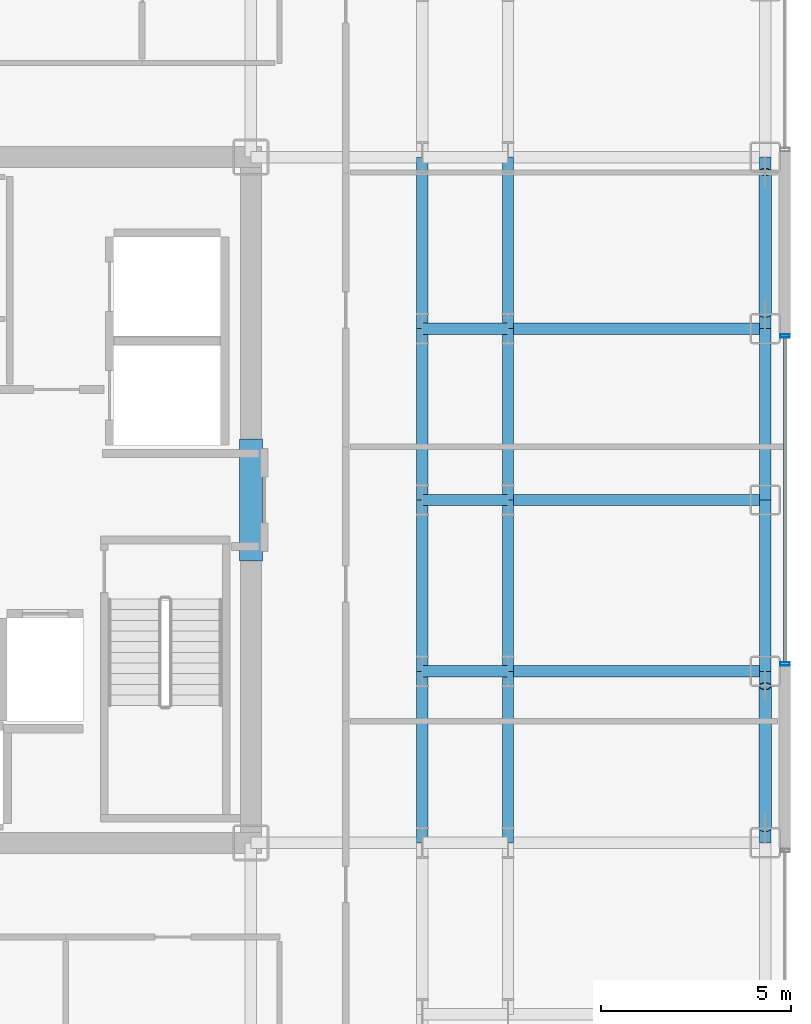
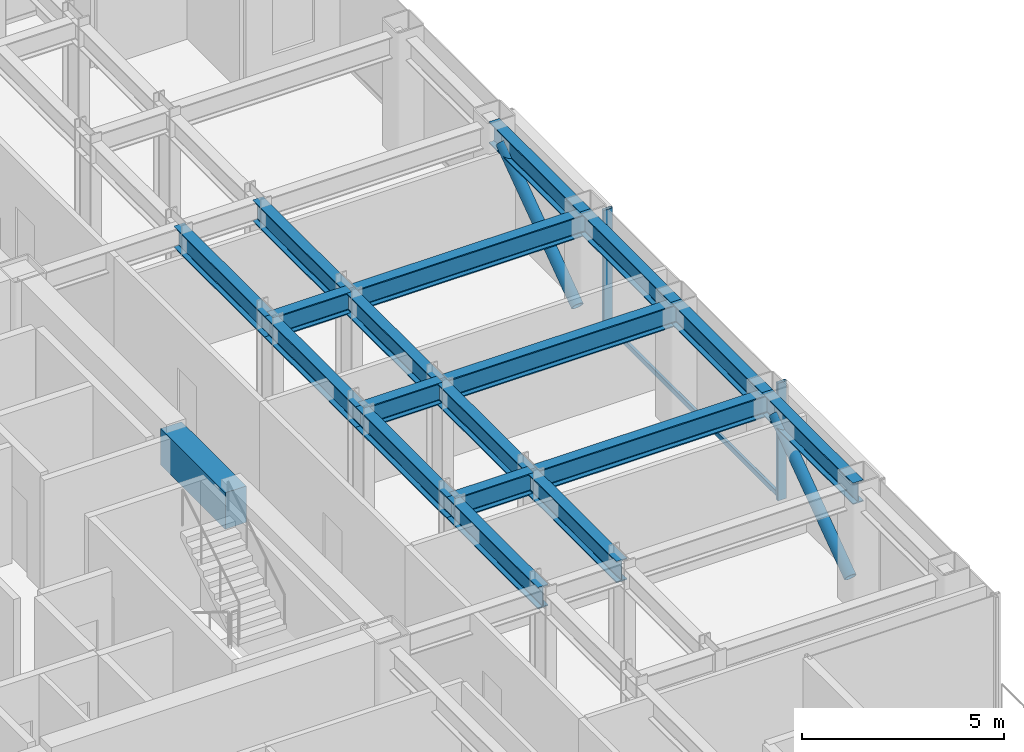
# One storey, part 11 of 27: 19 beams, 5 members, 1 element without a shape of its own.
"""IFC4 building model written with IfcOpenShell, lengths in metres."""

from ifc_helpers import new_model, si_unit, direction, frame, origin, origin_2d, place, context, subcontext, project, spatial, rectangle, hollow_rectangle, hollow_circle, i_section, extrude, source, transform, mapped, material, layer, layer_set, material_profile, profile_set, type_object, element, aggregate, save


model = new_model("IFC4")

# Units and contexts
model_context = context("Model", 3, precision=1e-05, world=origin(), true_north=direction((0.0, 1.0)))
body_context = subcontext(model_context, "Body", "Model", "MODEL_VIEW")
ifc_project = project(units=[si_unit("LENGTHUNIT", "METRE"), si_unit("AREAUNIT", "SQUARE_METRE"), si_unit("VOLUMEUNIT", "CUBIC_METRE"), si_unit("PLANEANGLEUNIT", "RADIAN"), si_unit("MASSUNIT", "GRAM", prefix="KILO")], contexts=[model_context])

# Site, building, storey
site_placement = place(None, origin())
site = spatial("IfcSite", under=ifc_project, at=site_placement, CompositionType="ELEMENT")
building_placement = place(site_placement, origin())
building = spatial("IfcBuilding", under=site, at=building_placement, Name="Nefas-Gora Pilgrimage Tower", CompositionType="ELEMENT")
storey_placement = place(building_placement, frame((0.0, 0.0, 183.0)))
storey = spatial("IfcBuildingStorey", under=building, at=storey_placement, Name="L45", CompositionType="ELEMENT", Elevation=183.0)

# Beams
ifc_material_1 = material(Name="Concrete C60/75", Category="concrete")
ifc_material_profile_1 = material_profile(ifc_material_1, rectangle(XDim=0.60009765625, YDim=1.10009765625, at=origin_2d()), Name="RC 600x1100")
ifc_profile_set_1 = profile_set([ifc_material_profile_1], Name="Concrete C60/75")
beam_type_1 = type_object("IfcBeamType", Name="BM-LIN-RC1100", PredefinedType="LINTEL", material=ifc_profile_set_1)
shared_shape_1 = source(origin(), body_context, "Body", "SweptSolid", [
    extrude(rectangle(XDim=0.60009765625, YDim=1.10009765625, at=origin_2d()), origin(), (0.0, 0.0, 1.0), 3.2001953125),
])
beam_placement = place(storey_placement, frame((11.25, -1.60009765625, 3.0), z_axis=(0.0, 1.0, 0.0), x_axis=(-1.0, 0.0, 0.0)))
element("IfcBeam", 1, at=beam_placement, inside=storey, type_object=beam_type_1, Name="L45 Core Coupling Lintel Beam E", PredefinedType="LINTEL", context=body_context, shape_type="MappedRepresentation", body=[
    mapped(shared_shape_1, transform((0.0, 0.0, 0.0), x_axis=(1.0, 0.0, 0.0), y_axis=(0.0, 1.0, 0.0), z_axis=(0.0, 0.0, 1.0), scale=1.0)),
])
ifc_material_2 = material(Name="Steel S355", Category="steel")
ifc_material_profile_2 = material_profile(ifc_material_2, i_section(OverallWidth=0.300048828125, OverallDepth=0.64990234375, WebThickness=0.01611328125, FlangeThickness=0.031005859375, FilletRadius=0.027099609375, at=origin_2d()), Name="HEB 650")
ifc_profile_set_2 = profile_set([ifc_material_profile_2], Name="Steel S355")
beam_type_2 = type_object("IfcBeamType", Name="BM-SPN-HEB500", PredefinedType="SPANDREL", material=ifc_profile_set_2)
shared_shape_2 = source(origin(), body_context, "Body", "SweptSolid", [
    extrude(i_section(OverallWidth=0.300048828125, OverallDepth=0.64990234375, WebThickness=0.01611328125, FlangeThickness=0.031005859375, FilletRadius=0.027099609375, at=origin_2d()), origin(), (0.0, 0.0, 1.0), 4.5),
])
for number, where, z_axis, x_axis, name in (
    (2, (24.75, -9.0, 3.22509765625), (0.0, 1.0, 0.0), (-1.0, 0.0, 0.0), "L45 SP-02 beam"),
    (3, (24.75, -4.5, 3.22509765625), (0.0, 1.0, 0.0), (-1.0, 0.0, 0.0), "L45 SP-02 beam"),
    (4, (24.75, 0.0, 3.22509765625), (0.0, 1.0, 0.0), (-1.0, 0.0, 0.0), "L45 SP-02 beam"),
    (5, (24.75, 4.5, 3.22509765625), (0.0, 1.0, 0.0), (-1.0, 0.0, 0.0), "L45 SP-02 beam"),
):
    element("IfcBeam", number, at=place(storey_placement, frame(where, z_axis=z_axis, x_axis=x_axis)), inside=storey, type_object=beam_type_2, Name=name, PredefinedType="SPANDREL", context=body_context, shape_type="MappedRepresentation", body=[
        mapped(shared_shape_2, transform((0.0, 0.0, 0.0), x_axis=(1.0, 0.0, 0.0), y_axis=(0.0, 1.0, 0.0), z_axis=(0.0, 0.0, 1.0), scale=1.0)),
    ])
ifc_material_profile_3 = material_profile(ifc_material_2, i_section(OverallWidth=0.300048828125, OverallDepth=0.64990234375, WebThickness=0.01611328125, FlangeThickness=0.031005859375, FilletRadius=0.027099609375, at=origin_2d()), Name="HEB 650")
ifc_profile_set_3 = profile_set([ifc_material_profile_3], Name="Steel S355")
beam_type_3 = type_object("IfcBeamType", Name="BM-GIR-HEB650", PredefinedType="BEAM", material=ifc_profile_set_3)
shared_shape_3 = source(origin(), body_context, "Body", "SweptSolid", [
    extrude(i_section(OverallWidth=0.300048828125, OverallDepth=0.64990234375, WebThickness=0.01611328125, FlangeThickness=0.031005859375, FilletRadius=0.027099609375, at=origin_2d()), origin(), (0.0, 0.0, 1.0), 4.5),
])
for number, where, z_axis, x_axis, name in (
    (6, (15.75, -9.0, 3.22509765625), (0.0, 1.0, 0.0), (-1.0, 0.0, 0.0), "L45 G-03 beam"),
    (7, (15.75, -4.5, 3.22509765625), (0.0, 1.0, 0.0), (-1.0, 0.0, 0.0), "L45 G-03 beam"),
    (8, (15.75, 0.0, 3.22509765625), (0.0, 1.0, 0.0), (-1.0, 0.0, 0.0), "L45 G-03 beam"),
    (9, (15.75, 4.5, 3.22509765625), (0.0, 1.0, 0.0), (-1.0, 0.0, 0.0), "L45 G-03 beam"),
    (10, (18.0, -9.0, 3.22509765625), (0.0, 1.0, 0.0), (-1.0, 0.0, 0.0), "L45 G-03 beam"),
    (11, (18.0, -4.5, 3.22509765625), (0.0, 1.0, 0.0), (-1.0, 0.0, 0.0), "L45 G-03 beam"),
    (12, (18.0, 0.0, 3.22509765625), (0.0, 1.0, 0.0), (-1.0, 0.0, 0.0), "L45 G-03 beam"),
    (13, (18.0, 4.5, 3.22509765625), (0.0, 1.0, 0.0), (-1.0, 0.0, 0.0), "L45 G-03 beam"),
):
    element("IfcBeam", number, at=place(storey_placement, frame(where, z_axis=z_axis, x_axis=x_axis)), inside=storey, type_object=beam_type_3, Name=name, PredefinedType="BEAM", context=body_context, shape_type="MappedRepresentation", body=[
        mapped(shared_shape_3, transform((0.0, 0.0, 0.0), x_axis=(1.0, 0.0, 0.0), y_axis=(0.0, 1.0, 0.0), z_axis=(0.0, 0.0, 1.0), scale=1.0)),
    ])
shared_shape_4 = source(origin(), body_context, "Body", "SweptSolid", [
    extrude(i_section(OverallWidth=0.300048828125, OverallDepth=0.64990234375, WebThickness=0.01611328125, FlangeThickness=0.031005859375, FilletRadius=0.027099609375, at=origin_2d()), origin(), (0.0, 0.0, 1.0), 6.75),
])
for number, where, z_axis, x_axis, name in (
    (14, (18.0, -4.5, 3.22509765625), (1.0, 0.0, 0.0), (0.0, 1.0, 0.0), "L45 G-03 beam"),
    (15, (18.0, 0.0, 3.22509765625), (1.0, 0.0, 0.0), (0.0, 1.0, 0.0), "L45 G-03 beam"),
    (16, (18.0, 4.5, 3.22509765625), (1.0, 0.0, 0.0), (0.0, 1.0, 0.0), "L45 G-03 beam"),
):
    element("IfcBeam", number, at=place(storey_placement, frame(where, z_axis=z_axis, x_axis=x_axis)), inside=storey, type_object=beam_type_3, Name=name, PredefinedType="BEAM", context=body_context, shape_type="MappedRepresentation", body=[
        mapped(shared_shape_4, transform((0.0, 0.0, 0.0), x_axis=(1.0, 0.0, 0.0), y_axis=(0.0, 1.0, 0.0), z_axis=(0.0, 0.0, 1.0), scale=1.0)),
    ])
shared_shape_5 = source(origin(), body_context, "Body", "SweptSolid", [
    extrude(i_section(OverallWidth=0.300048828125, OverallDepth=0.64990234375, WebThickness=0.01611328125, FlangeThickness=0.031005859375, FilletRadius=0.027099609375, at=origin_2d()), origin(), (0.0, 0.0, 1.0), 2.25),
])
for number, where, z_axis, x_axis, name in (
    (17, (15.75, -4.5, 3.22509765625), (1.0, 0.0, 0.0), (0.0, 1.0, 0.0), "L45 G-03 beam"),
    (18, (15.75, 0.0, 3.22509765625), (1.0, 0.0, 0.0), (0.0, 1.0, 0.0), "L45 G-03 beam"),
    (19, (15.75, 4.5, 3.22509765625), (1.0, 0.0, 0.0), (0.0, 1.0, 0.0), "L45 G-03 beam"),
):
    element("IfcBeam", number, at=place(storey_placement, frame(where, z_axis=z_axis, x_axis=x_axis)), inside=storey, type_object=beam_type_3, Name=name, PredefinedType="BEAM", context=body_context, shape_type="MappedRepresentation", body=[
        mapped(shared_shape_5, transform((0.0, 0.0, 0.0), x_axis=(1.0, 0.0, 0.0), y_axis=(0.0, 1.0, 0.0), z_axis=(0.0, 0.0, 1.0), scale=1.0)),
    ])

# Members
ifc_material_profile_4 = material_profile(ifc_material_2, hollow_circle(Radius=0.161865234375, WallThickness=0.02001953125, at=origin_2d()), Name="CHS 323.9x20")
ifc_profile_set_4 = profile_set([ifc_material_profile_4], Name="Steel S355")
member_type_1 = type_object("IfcMemberType", Name="MEM-TUBE-324", PredefinedType="BRACE", material=ifc_profile_set_4)
shared_shape_6 = source(origin(), body_context, "Body", "SweptSolid", [
    extrude(hollow_circle(Radius=0.161865234375, WallThickness=0.02001953125, at=origin_2d()), origin(), (0.0, 0.0, 1.0), 4.579345703125),
])
for number, where, z_axis, x_axis, name in (
    (20, (24.75, -8.612060546875, 0.427490234375), (0.0, 0.813246879171, 0.581918820385), (-1.0, 0.0, 0.0), "L45 Perimeter Tube Diagonal Brace E1"),
    (21, (24.75, 4.887939453125, 0.427490234375), (0.0, 0.813246879171, 0.581918820385), (-1.0, 0.0, 0.0), "L45 Perimeter Tube Diagonal Brace E2"),
):
    element("IfcMember", number, at=place(storey_placement, frame(where, z_axis=z_axis, x_axis=x_axis)), inside=storey, type_object=member_type_1, Name=name, PredefinedType="BRACE", context=body_context, shape_type="MappedRepresentation", body=[
        mapped(shared_shape_6, transform((0.0, 0.0, 0.0), x_axis=(1.0, 0.0, 0.0), y_axis=(0.0, 1.0, 0.0), z_axis=(0.0, 0.0, 1.0), scale=1.0)),
    ])

# Curtain wall, members
ifc_material_3 = material(Name="Dark ceramic-fritted solar-control aluminium-glass curtain wall", Category="aluminium")
ifc_layer = layer(ifc_material_3, 0.219970703125)
ifc_layer_set = layer_set([ifc_layer], Name="Dark ceramic-fritted solar-control aluminium-glass curtain wall")
curtain_wall_type = type_object("IfcCurtainWallType", Name="CW-SYS-3", PredefinedType="NOTDEFINED", material=ifc_layer_set)
curtain_wall_placement = place(storey_placement, origin())
curtain_wall = element("IfcCurtainWall", 22, at=curtain_wall_placement, inside=storey, type_object=curtain_wall_type, Name="L45 Unitised Curtain Wall CW3", PredefinedType="NOTDEFINED")
ifc_material_4 = material(Name="Anodised architectural aluminium", Category="aluminium")
ifc_material_profile_5 = material_profile(ifc_material_4, hollow_rectangle(XDim=0.090087890625, YDim=0.260009765625, WallThickness=0.006103515625, InnerFilletRadius=0.006103515625, OuterFilletRadius=0.011962890625, at=origin_2d()), Name="ALU MULLION 90x260")
ifc_profile_set_5 = profile_set([ifc_material_profile_5], Name="Anodised architectural aluminium")
member_type_2 = type_object("IfcMemberType", Name="CWM-MUL-3", PredefinedType="MULLION", material=ifc_profile_set_5)
shared_shape_7 = source(origin(), body_context, "Body", "SweptSolid", [
    extrude(hollow_rectangle(XDim=0.090087890625, YDim=0.260009765625, WallThickness=0.006103515625, InnerFilletRadius=0.006103515625, OuterFilletRadius=0.011962890625, at=origin_2d()), origin(), (0.0, 0.0, 1.0), 3.550048828125),
])
member_1_placement = place(storey_placement, frame((25.27001953125, -4.304931640625, 0.0), z_axis=(0.0, 0.0, 1.0), x_axis=(0.0, 1.0, 0.0)))
member_1 = element("IfcMember", 23, at=member_1_placement, type_object=member_type_2, Name="CW3 Mullion 1", PredefinedType="MULLION", context=body_context, shape_type="MappedRepresentation", body=[
    mapped(shared_shape_7, transform((0.0, 0.0, 0.0), x_axis=(1.0, 0.0, 0.0), y_axis=(0.0, 1.0, 0.0), z_axis=(0.0, 0.0, 1.0), scale=1.0)),
])
member_2_placement = place(storey_placement, frame((25.27001953125, 4.304931640625, 0.0), z_axis=(0.0, 0.0, 1.0), x_axis=(0.0, 1.0, 0.0)))
member_2 = element("IfcMember", 24, at=member_2_placement, type_object=member_type_2, Name="CW3 Mullion 2", PredefinedType="MULLION", context=body_context, shape_type="MappedRepresentation", body=[
    mapped(shared_shape_7, transform((0.0, 0.0, 0.0), x_axis=(1.0, 0.0, 0.0), y_axis=(0.0, 1.0, 0.0), z_axis=(0.0, 0.0, 1.0), scale=1.0)),
])
ifc_material_profile_6 = material_profile(ifc_material_4, hollow_rectangle(XDim=0.080078125, YDim=0.159912109375, WallThickness=0.00439453125, InnerFilletRadius=0.00439453125, OuterFilletRadius=0.009033203125, at=origin_2d()), Name="ALU TRANSOM 80x160")
ifc_profile_set_6 = profile_set([ifc_material_profile_6], Name="Anodised architectural aluminium")
member_type_3 = type_object("IfcMemberType", Name="CWM-TRN-3", PredefinedType="USERDEFINED", material=ifc_profile_set_6)
shared_shape_8 = source(origin(), body_context, "Body", "SweptSolid", [
    extrude(hollow_rectangle(XDim=0.080078125, YDim=0.159912109375, WallThickness=0.00439453125, InnerFilletRadius=0.00439453125, OuterFilletRadius=0.009033203125, at=origin_2d()), origin(), (0.0, 0.0, 1.0), 8.52001953125),
])
member_3_placement = place(storey_placement, frame((25.27001953125, -4.260009765625, 0.050048828125), z_axis=(0.0, 1.0, 0.0), x_axis=(-1.0, 0.0, 0.0)))
member_3 = element("IfcMember", 25, at=member_3_placement, type_object=member_type_3, Name="CW3 Spandrel Transom", ObjectType="TRANSOM", PredefinedType="USERDEFINED", context=body_context, shape_type="MappedRepresentation", body=[
    mapped(shared_shape_8, transform((0.0, 0.0, 0.0), x_axis=(1.0, 0.0, 0.0), y_axis=(0.0, 1.0, 0.0), z_axis=(0.0, 0.0, 1.0), scale=1.0)),
])
aggregate(curtain_wall, [member_1, member_2, member_3])

save(model, "model.ifc")
